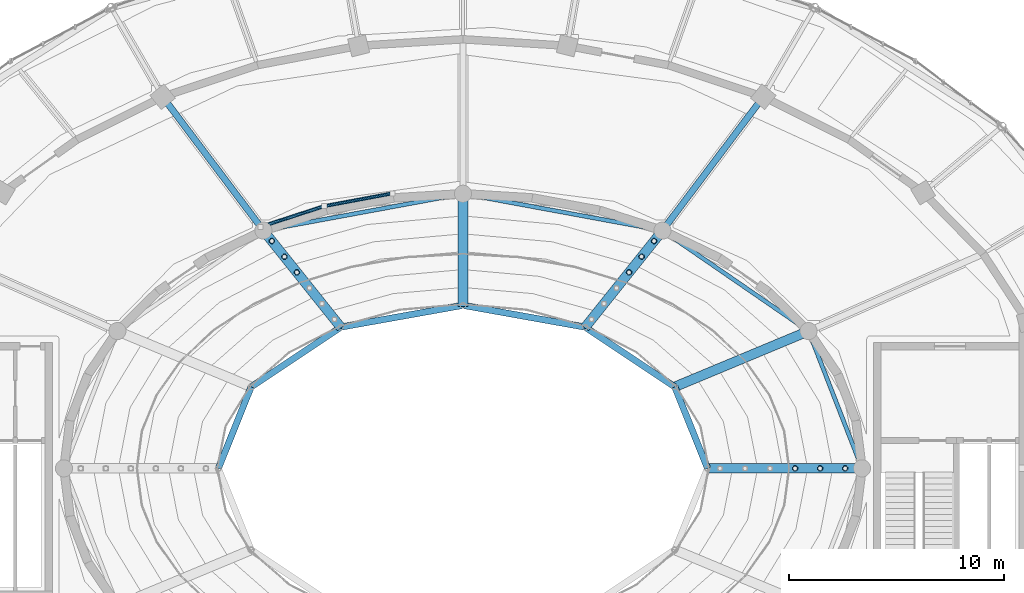
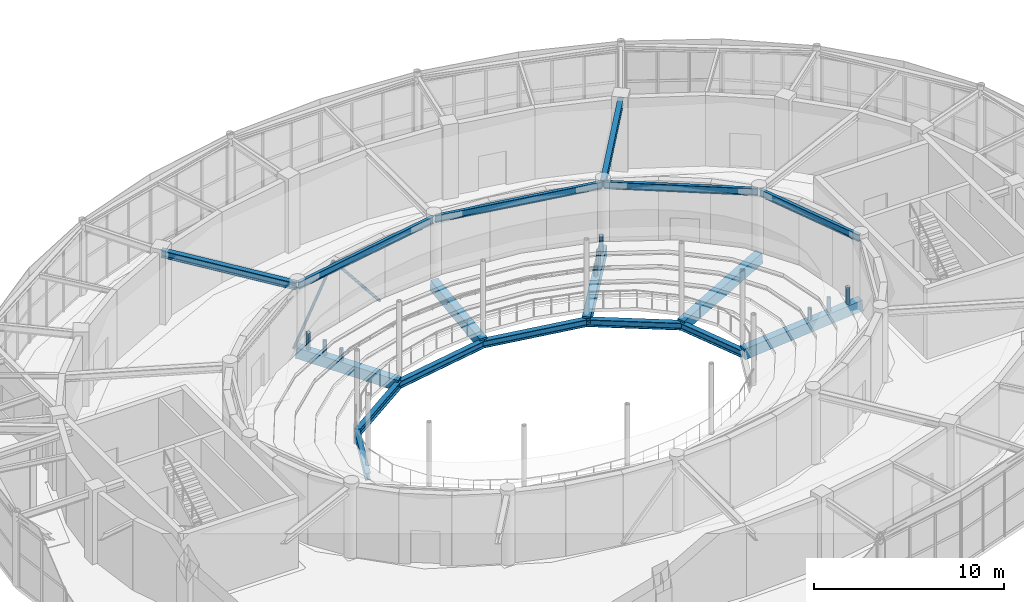
# One storey, part 39 of 100: 17 beams, 11 members.
"""IFC4 building model written with IfcOpenShell, lengths in metres."""

from ifc_helpers import new_model, si_unit, direction, frame, origin, origin_2d, place, context, subcontext, project, spatial, rectangle, hollow_circle, i_section, extrude, material, material_profile, profile_set, type_object, element, save


model = new_model("IFC4")

# Units and contexts
model_context = context("Model", 3, precision=1e-05, world=origin(), true_north=direction((0.0, 1.0)))
body_context = subcontext(model_context, "Body", "Model", "MODEL_VIEW")
ifc_project = project(units=[si_unit("LENGTHUNIT", "METRE"), si_unit("AREAUNIT", "SQUARE_METRE"), si_unit("VOLUMEUNIT", "CUBIC_METRE"), si_unit("PLANEANGLEUNIT", "RADIAN"), si_unit("MASSUNIT", "GRAM", prefix="KILO")], contexts=[model_context])

# Site, building, storey
site_placement = place(None, origin())
site = spatial("IfcSite", under=ifc_project, at=site_placement, CompositionType="ELEMENT")
building_placement = place(site_placement, origin())
building = spatial("IfcBuilding", under=site, at=building_placement, Name="Tarnveldt Headland Concert Hall", CompositionType="ELEMENT")
storey_placement = place(building_placement, frame((0.0, 0.0, 4.800048828125)))
storey = spatial("IfcBuildingStorey", under=building, at=storey_placement, Name="L01", CompositionType="ELEMENT", Elevation=4.800048828125)

# Members
ifc_material_1 = material(Name="Steel S355", Category="steel")
ifc_material_profile_1 = material_profile(ifc_material_1, hollow_circle(Radius=0.084228515625, WallThickness=0.010009765625, at=origin_2d()), Name="CHS 168.3x10", Category="steel")
ifc_profile_set_1 = profile_set([ifc_material_profile_1], Name="Steel S355")
member_type_1 = type_object("IfcMemberType", Name="BR-CHS168", PredefinedType="BRACE", material=ifc_profile_set_1)
member_1_placement = place(storey_placement, frame((80.215576171875, 67.318603515625, 0.179931640625), z_axis=(-0.614412458068, -0.115137479667, 0.780538719185), x_axis=(0.184188305631, -0.98289097466, 0.0)))
element("IfcMember", 1, at=member_1_placement, inside=storey, type_object=member_type_1, Name="Acoustic drum chevron brace L01-9A", PredefinedType="BRACE", context=body_context, shape_type="SweptSolid", body=[
    extrude(hollow_circle(Radius=0.084228515625, WallThickness=0.010009765625, at=origin_2d()), origin(), (0.0, 0.0, 1.0), 5.176025390625),
])
member_2_placement = place(storey_placement, frame((74.05859375, 65.753662109375, 0.179931640625), z_axis=(0.582432221145, 0.189590214527, 0.790460788609), x_axis=(-0.309528653366, 0.950890116021, 0.0)))
element("IfcMember", 2, at=member_2_placement, inside=storey, type_object=member_type_1, Name="Acoustic drum chevron brace L01-9B", PredefinedType="BRACE", context=body_context, shape_type="SweptSolid", body=[
    extrude(hollow_circle(Radius=0.084228515625, WallThickness=0.010009765625, at=origin_2d()), origin(), (0.0, 0.0, 1.0), 5.111083984375),
])

# Beams
ifc_material_2 = material(Name="Concrete C40/50", Category="concrete")
ifc_material_profile_2 = material_profile(ifc_material_2, rectangle(XDim=0.449951171875, YDim=0.699951171875, at=origin_2d()), Name="RAKER RC 450x700", Category="concrete")
ifc_profile_set_2 = profile_set([ifc_material_profile_2], Name="Concrete C40/50")
beam_type_1 = type_object("IfcBeamType", Name="RK-450x700", PredefinedType="BEAM", material=ifc_profile_set_2)
beam_1_placement = place(storey_placement, frame((102.10009765625, 54.5, 0.119873046875), z_axis=(-0.995887391882, 0.0, -0.090599683725), x_axis=(0.0, -1.0, 0.0)))
element("IfcBeam", 3, at=beam_1_placement, inside=storey, type_object=beam_type_1, Name="Stand RAKER beam L01-1", PredefinedType="BEAM", context=body_context, shape_type="SweptSolid", body=[
    extrude(rectangle(XDim=0.449951171875, YDim=0.699951171875, at=origin_2d()), origin(), (0.0, 0.0, 1.0), 7.22998046875),
])
beam_2_placement = place(storey_placement, frame((99.608154296875, 60.89990234375, 0.119873046875), z_axis=(-0.918674552277, -0.383044843665, -0.096507589027), x_axis=(0.384841186622, -0.922982806492, 0.0)))
element("IfcBeam", 4, at=beam_2_placement, inside=storey, type_object=beam_type_1, Name="Stand RAKER beam L01-2", PredefinedType="BEAM", context=body_context, shape_type="SweptSolid", body=[
    extrude(rectangle(XDim=0.449951171875, YDim=0.699951171875, at=origin_2d()), origin(), (0.0, 0.0, 1.0), 6.787353515625),
])
beam_3_placement = place(storey_placement, frame((92.800048828125, 65.585205078125, 0.119873046875), z_axis=(-0.62042493142, -0.776099164856, -0.1128848563), x_axis=(0.781091844356, -0.624416151842, 0.0)))
element("IfcBeam", 5, at=beam_3_placement, inside=storey, type_object=beam_type_1, Name="Stand RAKER beam L01-3", PredefinedType="BEAM", context=body_context, shape_type="SweptSolid", body=[
    extrude(rectangle(XDim=0.449951171875, YDim=0.699951171875, at=origin_2d()), origin(), (0.0, 0.0, 1.0), 5.802734375),
])
beam_4_placement = place(storey_placement, frame((83.5, 67.300048828125, 0.119873046875), z_axis=(0.0, -0.992159178084, -0.124980659881), x_axis=(1.0, 0.0, 0.0)))
element("IfcBeam", 6, at=beam_4_placement, inside=storey, type_object=beam_type_1, Name="Stand RAKER beam L01-4", PredefinedType="BEAM", context=body_context, shape_type="SweptSolid", body=[
    extrude(rectangle(XDim=0.449951171875, YDim=0.699951171875, at=origin_2d()), origin(), (0.0, 0.0, 1.0), 5.240966796875),
])
beam_5_placement = place(storey_placement, frame((74.199951171875, 65.585205078125, 0.119873046875), z_axis=(0.62042493142, -0.776099164856, -0.1128848563), x_axis=(0.781091844356, 0.624416151842, 0.0)))
element("IfcBeam", 7, at=beam_5_placement, inside=storey, type_object=beam_type_1, Name="Stand RAKER beam L01-5", PredefinedType="BEAM", context=body_context, shape_type="SweptSolid", body=[
    extrude(rectangle(XDim=0.449951171875, YDim=0.699951171875, at=origin_2d()), origin(), (0.0, 0.0, 1.0), 5.802734375),
])
ifc_material_profile_3 = material_profile(ifc_material_1, i_section(OverallWidth=0.300048828125, OverallDepth=0.449951171875, WebThickness=0.013916015625, FlangeThickness=0.02587890625, FilletRadius=0.027099609375, at=origin_2d()), Name="HEB450", Category="steel")
ifc_profile_set_3 = profile_set([ifc_material_profile_3], Name="Steel S355")
beam_type_2 = type_object("IfcBeamType", Name="SB-HEB450", PredefinedType="BEAM", material=ifc_profile_set_3)
beam_6_placement = place(storey_placement, frame((94.89990234375, 54.5, -0.53515625), z_axis=(-0.372880527765, 0.927879362856, 0.0), x_axis=(-0.927879362856, -0.372880527765, 0.0)))
element("IfcBeam", 8, at=beam_6_placement, inside=storey, type_object=beam_type_2, Name="RAKER header beam L01-1", PredefinedType="BEAM", context=body_context, shape_type="SweptSolid", body=[
    extrude(i_section(OverallWidth=0.300048828125, OverallDepth=0.449951171875, WebThickness=0.013916015625, FlangeThickness=0.02587890625, FilletRadius=0.027099609375, at=origin_2d()), origin(), (0.0, 0.0, 1.0), 4.095458984375),
])
beam_7_placement = place(storey_placement, frame((93.372802734375, 58.300048828125, -0.53515625), z_axis=(-0.832065272977, 0.554677727609, 0.0), x_axis=(-0.554677727609, -0.832065272977, 0.0)))
element("IfcBeam", 9, at=beam_7_placement, inside=storey, type_object=beam_type_2, Name="RAKER header beam L01-2", PredefinedType="BEAM", context=body_context, shape_type="SweptSolid", body=[
    extrude(i_section(OverallWidth=0.300048828125, OverallDepth=0.449951171875, WebThickness=0.013916015625, FlangeThickness=0.02587890625, FilletRadius=0.027099609375, at=origin_2d()), origin(), (0.0, 0.0, 1.0), 5.01513671875),
])
for number, where, z_axis, x_axis, name in (
    (10, (89.199951171875, 61.081787109375, -0.53515625), (-0.984413760872, 0.175867982893, 0.0), (-0.175867982893, -0.984413760872, 0.0), "RAKER header beam L01-3"),
    (11, (83.5, 62.10009765625, -0.53515625), (-0.984413760872, -0.175867982893, 0.0), (0.175867982893, -0.984413760872, 0.0), "RAKER header beam L01-4"),
):
    element("IfcBeam", number, at=place(storey_placement, frame(where, z_axis=z_axis, x_axis=x_axis)), inside=storey, type_object=beam_type_2, Name=name, PredefinedType="BEAM", context=body_context, shape_type="SweptSolid", body=[
        extrude(i_section(OverallWidth=0.300048828125, OverallDepth=0.449951171875, WebThickness=0.013916015625, FlangeThickness=0.02587890625, FilletRadius=0.027099609375, at=origin_2d()), origin(), (0.0, 0.0, 1.0), 5.790283203125),
    ])
beam_8_placement = place(storey_placement, frame((77.800048828125, 61.081787109375, -0.53515625), z_axis=(-0.832065272977, -0.554677727609, 0.0), x_axis=(0.554677727609, -0.832065272977, 0.0)))
element("IfcBeam", 12, at=beam_8_placement, inside=storey, type_object=beam_type_2, Name="RAKER header beam L01-5", PredefinedType="BEAM", context=body_context, shape_type="SweptSolid", body=[
    extrude(i_section(OverallWidth=0.300048828125, OverallDepth=0.449951171875, WebThickness=0.013916015625, FlangeThickness=0.02587890625, FilletRadius=0.027099609375, at=origin_2d()), origin(), (0.0, 0.0, 1.0), 5.01513671875),
])
beam_9_placement = place(storey_placement, frame((73.627197265625, 58.300048828125, -0.53515625), z_axis=(-0.372880527765, -0.927879362856, 0.0), x_axis=(0.927879362856, -0.372880527765, 0.0)))
element("IfcBeam", 13, at=beam_9_placement, inside=storey, type_object=beam_type_2, Name="RAKER header beam L01-6", PredefinedType="BEAM", context=body_context, shape_type="SweptSolid", body=[
    extrude(i_section(OverallWidth=0.300048828125, OverallDepth=0.449951171875, WebThickness=0.013916015625, FlangeThickness=0.02587890625, FilletRadius=0.027099609375, at=origin_2d()), origin(), (0.0, 0.0, 1.0), 4.095458984375),
])
for number, where, z_axis, x_axis, name in (
    (14, (92.82421875, 65.616943359375, 4.31494140625), (0.601893745781, 0.798576182208, 0.0), (-0.798576182208, 0.601893745781, 0.0), "Framing beam L01-736"),
    (15, (74.17578125, 65.616943359375, 4.31494140625), (-0.601893745781, 0.798576182208, 0.0), (-0.798576182208, -0.601893745781, 0.0), "Framing beam L01-740"),
):
    element("IfcBeam", number, at=place(storey_placement, frame(where, z_axis=z_axis, x_axis=x_axis)), inside=storey, type_object=beam_type_2, Name=name, PredefinedType="BEAM", context=body_context, shape_type="SweptSolid", body=[
        extrude(i_section(OverallWidth=0.300048828125, OverallDepth=0.449951171875, WebThickness=0.013916015625, FlangeThickness=0.02587890625, FilletRadius=0.027099609375, at=origin_2d()), origin(), (0.0, 0.0, 1.0), 7.728271484375),
    ])
ifc_material_profile_4 = material_profile(ifc_material_1, i_section(OverallWidth=0.18994140625, OverallDepth=0.449951171875, WebThickness=0.009521484375, FlangeThickness=0.0146484375, FilletRadius=0.02099609375, at=origin_2d()), Name="IPE450", Category="steel")
ifc_profile_set_4 = profile_set([ifc_material_profile_4], Name="Steel S355")
beam_type_3 = type_object("IfcBeamType", Name="SB-IPE450", PredefinedType="BEAM", material=ifc_profile_set_4)
beam_10_placement = place(storey_placement, frame((102.078125, 54.555908203125, 4.31494140625), z_axis=(-0.362816377746, 0.931860652694, 0.0), x_axis=(-0.931860652694, -0.362816377746, 0.0)))
element("IfcBeam", 16, at=beam_10_placement, inside=storey, type_object=beam_type_3, Name="Framing beam L01-733", PredefinedType="BEAM", context=body_context, shape_type="SweptSolid", body=[
    extrude(i_section(OverallWidth=0.18994140625, OverallDepth=0.449951171875, WebThickness=0.009521484375, FlangeThickness=0.0146484375, FilletRadius=0.02099609375, at=origin_2d()), origin(), (0.0, 0.0, 1.0), 6.747802734375),
])
beam_11_placement = place(storey_placement, frame((99.55859375, 60.93408203125, 4.31494140625), z_axis=(-0.823792567818, 0.566891352207, 0.0), x_axis=(-0.566891352207, -0.823792567818, 0.0)))
element("IfcBeam", 17, at=beam_11_placement, inside=storey, type_object=beam_type_3, Name="Framing beam L01-735", PredefinedType="BEAM", context=body_context, shape_type="SweptSolid", body=[
    extrude(i_section(OverallWidth=0.18994140625, OverallDepth=0.449951171875, WebThickness=0.009521484375, FlangeThickness=0.0146484375, FilletRadius=0.02099609375, at=origin_2d()), origin(), (0.0, 0.0, 1.0), 8.144287109375),
])
for number, where, z_axis, x_axis, name in (
    (18, (92.740966796875, 65.595947265625, 4.31494140625), (-0.983420438696, 0.181340124501, 0.0), (-0.181340124501, -0.983420438696, 0.0), "Framing beam L01-737"),
    (19, (83.44091796875, 67.2890625, 4.31494140625), (-0.983420438696, -0.181340124501, 0.0), (0.181340124501, -0.983420438696, 0.0), "Framing beam L01-739"),
):
    element("IfcBeam", number, at=place(storey_placement, frame(where, z_axis=z_axis, x_axis=x_axis)), inside=storey, type_object=beam_type_3, Name=name, PredefinedType="BEAM", context=body_context, shape_type="SweptSolid", body=[
        extrude(i_section(OverallWidth=0.18994140625, OverallDepth=0.449951171875, WebThickness=0.009521484375, FlangeThickness=0.0146484375, FilletRadius=0.02099609375, at=origin_2d()), origin(), (0.0, 0.0, 1.0), 9.336669921875),
    ])

# Members
ifc_material_profile_5 = material_profile(ifc_material_1, hollow_circle(Radius=0.122314453125, WallThickness=0.01611328125, at=origin_2d()), Name="CHS 244.5x16", Category="steel")
ifc_profile_set_5 = profile_set([ifc_material_profile_5], Name="Steel S355")
member_type_2 = type_object("IfcMemberType", Name="TR-CHORD244", PredefinedType="POST", material=ifc_profile_set_5)
for number, where, z_axis, x_axis, name in (
    (20, (98.9833984375, 54.5, -0.16357421875), (0.0, 0.0, 1.0), (1.0, 0.0, 0.0), "Vineyard tier raker stool post L01-4-1"),
    (21, (91.24169921875, 63.6357421875, -0.16357421875), (0.0, 0.0, 1.0), (1.0, 0.0, 0.0), "Vineyard tier raker stool post L01-4-3"),
    (22, (75.75830078125, 63.6357421875, -0.16357421875), (0.0, 0.0, 1.0), (1.0, 0.0, 0.0), "Vineyard tier raker stool post L01-4-5"),
):
    element("IfcMember", number, at=place(storey_placement, frame(where, z_axis=z_axis, x_axis=x_axis)), inside=storey, type_object=member_type_2, Name=name, PredefinedType="POST", context=body_context, shape_type="SweptSolid", body=[
        extrude(hollow_circle(Radius=0.122314453125, WallThickness=0.01611328125, at=origin_2d()), origin(), (0.0, 0.0, 1.0), 1.07861328125),
    ])
for number, where, z_axis, x_axis, name in (
    (23, (100.14990234375, 54.5, -0.057373046875), (0.0, 0.0, 1.0), (1.0, 0.0, 0.0), "Vineyard tier raker stool post L01-5-1"),
    (24, (91.824951171875, 64.365478515625, -0.057373046875), (0.0, 0.0, 1.0), (1.0, 0.0, 0.0), "Vineyard tier raker stool post L01-5-3"),
    (25, (75.175048828125, 64.365478515625, -0.057373046875), (0.0, 0.0, 1.0), (1.0, 0.0, 0.0), "Vineyard tier raker stool post L01-5-5"),
):
    element("IfcMember", number, at=place(storey_placement, frame(where, z_axis=z_axis, x_axis=x_axis)), inside=storey, type_object=member_type_2, Name=name, PredefinedType="POST", context=body_context, shape_type="SweptSolid", body=[
        extrude(hollow_circle(Radius=0.122314453125, WallThickness=0.01611328125, at=origin_2d()), origin(), (0.0, 0.0, 1.0), 1.25244140625),
    ])
for number, where, z_axis, x_axis, name in (
    (26, (101.316650390625, 54.5, 0.048583984375), (0.0, 0.0, 1.0), (1.0, 0.0, 0.0), "Vineyard tier raker stool post L01-6-1"),
    (27, (92.408203125, 65.09521484375, 0.048583984375), (0.0, 0.0, 1.0), (1.0, 0.0, 0.0), "Vineyard tier raker stool post L01-6-3"),
    (28, (74.591796875, 65.09521484375, 0.048583984375), (0.0, 0.0, 1.0), (1.0, 0.0, 0.0), "Vineyard tier raker stool post L01-6-5"),
):
    element("IfcMember", number, at=place(storey_placement, frame(where, z_axis=z_axis, x_axis=x_axis)), inside=storey, type_object=member_type_2, Name=name, PredefinedType="POST", context=body_context, shape_type="SweptSolid", body=[
        extrude(hollow_circle(Radius=0.122314453125, WallThickness=0.01611328125, at=origin_2d()), origin(), (0.0, 0.0, 1.0), 1.42626953125),
    ])

save(model, "model.ifc")
